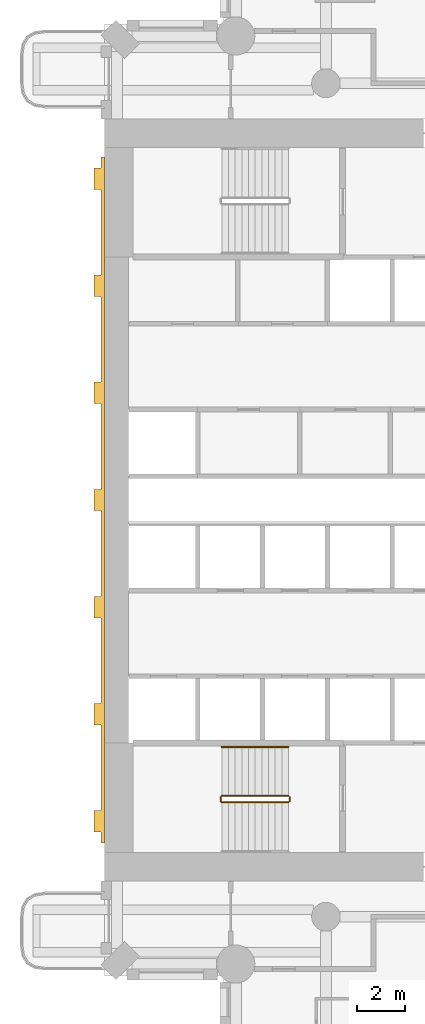
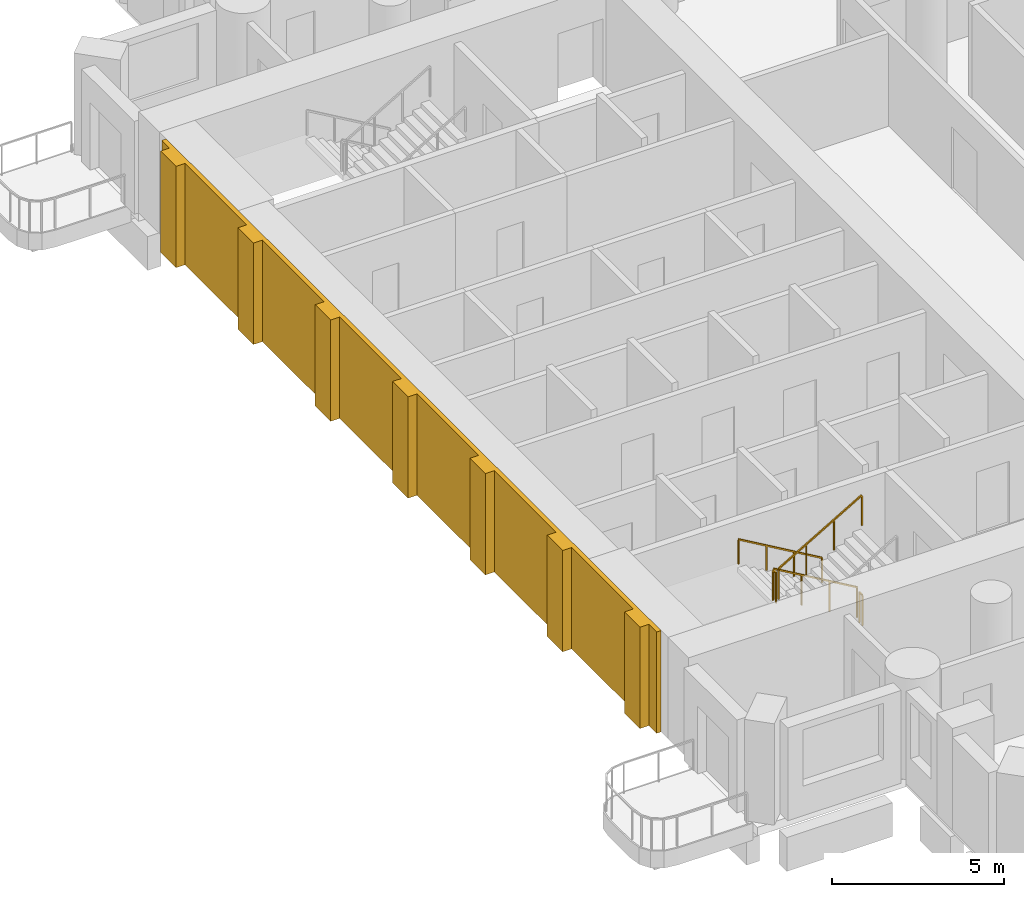
# One storey, part 14 of 20: 5 railings, 1 covering.
"""IFC4 building model written with IfcOpenShell, lengths in metres."""

import ifcopenshell
import ifcopenshell.guid

model = None  # the IFC model being written
_history = None  # IfcOwnerHistory: only IFC2X3 demands one
_inside = {}  # id of a spatial element -> (the spatial element, [elements in it])
_under = {}  # id of a project, library or spatial element -> (it, [spatial elements below it])
_declared = {}  # id of a project -> (the project, [libraries it declares])
_typed = {}  # id of a type object -> (the type object, [elements of that type])
_made_of = {}  # id of a material, layer set ... -> (it, [elements and type objects made of it])


def new_model(schema):
    """Start an empty IFC model of exactly this schema.

    Asked for "IFC4X3", IfcOpenShell would pick the latest addendum, in which some entities
    have other attributes; the version numbers below select the first issue.
    IFC2X3 requires an IfcOwnerHistory on every rooted entity: one is made here for all.
    """
    global model, _history
    if schema == "IFC4X3":
        model = ifcopenshell.file(schema_version=(4, 3, 0, 0))
    else:
        model = ifcopenshell.file(schema=schema)
    _inside.clear()
    _under.clear()
    _declared.clear()
    _typed.clear()
    _made_of.clear()
    _history = None
    if model.schema == "IFC2X3":
        org = make("IfcOrganization", Name="unknown")
        user = make(
            "IfcPersonAndOrganization",
            ThePerson=make("IfcPerson", FamilyName="unknown"),
            TheOrganization=org,
        )
        app = make(
            "IfcApplication",
            ApplicationDeveloper=org,
            Version="unknown",
            ApplicationFullName="unknown",
            ApplicationIdentifier="unknown",
        )
        _history = make(
            "IfcOwnerHistory",
            OwningUser=user,
            OwningApplication=app,
            ChangeAction="ADDED",
            CreationDate=0,
        )
    return model


def make(cls, **values):
    """One entity of the class cls with the attributes given. An attribute that is None is left unset."""
    return model.create_entity(
        cls, **{name: value for name, value in values.items() if value is not None}
    )


def rooted(cls, **values):
    """An entity with a GlobalId (a new one), such as an element, a storey or a relation."""
    return make(cls, GlobalId=ifcopenshell.guid.new(), OwnerHistory=_history, **values)


def si_unit(unit_type, name, prefix=None):
    """IfcSIUnit, for example si_unit("LENGTHUNIT", "METRE", prefix="MILLI")."""
    return make("IfcSIUnit", UnitType=unit_type, Prefix=prefix, Name=name)


def assignment(units):
    """IfcUnitAssignment: the units of a project."""
    return None if units is None else make("IfcUnitAssignment", Units=units)


def point(xyz):
    """IfcCartesianPoint."""
    return None if xyz is None else make("IfcCartesianPoint", Coordinates=xyz)


def direction(xyz):
    """IfcDirection."""
    return None if xyz is None else make("IfcDirection", DirectionRatios=xyz)


def frame(location, z_axis=None, x_axis=None):
    """IfcAxis2Placement3D, a coordinate frame: its origin and axes. An axis left out is left unset."""
    return make(
        "IfcAxis2Placement3D",
        Location=point(location),
        Axis=direction(z_axis),
        RefDirection=direction(x_axis),
    )


def frame_2d(location, x_axis=None):
    """IfcAxis2Placement2D, a coordinate frame in the plane: its origin and x axis."""
    return make(
        "IfcAxis2Placement2D", Location=point(location), RefDirection=direction(x_axis)
    )


def origin():
    """The frame at (0, 0, 0) with its axes left unset."""
    return frame((0.0, 0.0, 0.0))


def origin_2d():
    """The frame at (0, 0) in the plane with its x axis left unset."""
    return frame_2d((0.0, 0.0))


def place(relative_to, where):
    """IfcLocalPlacement: puts the frame where relative to a parent placement (None: the world)."""
    return make(
        "IfcLocalPlacement", PlacementRelTo=relative_to, RelativePlacement=where
    )


def context(
    kind, dimensions, precision=None, world=None, true_north=None, identifier=None
):
    """IfcGeometricRepresentationContext, for example the 3D "Model" context."""
    return make(
        "IfcGeometricRepresentationContext",
        ContextIdentifier=identifier,
        ContextType=kind,
        CoordinateSpaceDimension=dimensions,
        Precision=precision,
        WorldCoordinateSystem=world,
        TrueNorth=true_north,
    )


def subcontext(parent, identifier, kind, view, scale=None):
    """IfcGeometricRepresentationSubContext, for example "Body" below "Model"."""
    return make(
        "IfcGeometricRepresentationSubContext",
        ContextIdentifier=identifier,
        ContextType=kind,
        ParentContext=parent,
        TargetScale=scale,
        TargetView=view,
    )


def project(units=None, contexts=None):
    """IfcProject with its units and contexts."""
    return rooted(
        "IfcProject",
        Name="project",
        RepresentationContexts=contexts,
        UnitsInContext=assignment(units),
    )


def spatial(cls, under=None, at=None, **own):
    """A site, building, storey or space (cls), placed at a placement, below another one or the project."""
    s = rooted(cls, ObjectPlacement=at, **own)
    if under is not None:
        _under.setdefault(under.id(), (under, []))[1].append(s)
    return s


def polyline(points):
    """IfcPolyline through the points."""
    return make("IfcPolyline", Points=[point(p) for p in points])


def profile(cls, at=None, kind="AREA", **sizes):
    """A parametric profile (cls). Its sizes go by their IFC names, for example OverallWidth=200.0."""
    return make(cls, ProfileType=kind, Position=at, **sizes)


def rectangle(**sizes):
    """IfcRectangleProfileDef."""
    return profile("IfcRectangleProfileDef", **sizes)


def outline(outer, holes=None, kind="AREA"):
    """IfcArbitraryClosedProfileDef: a profile drawn as a closed curve; with holes, ...WithVoids."""
    if holes is None:
        return make("IfcArbitraryClosedProfileDef", ProfileType=kind, OuterCurve=outer)
    return make(
        "IfcArbitraryProfileDefWithVoids",
        ProfileType=kind,
        OuterCurve=outer,
        InnerCurves=holes,
    )


def extrude(swept, where, along, depth):
    """IfcExtrudedAreaSolid: the profile swept, set in the frame where, extruded along a direction by depth."""
    return make(
        "IfcExtrudedAreaSolid",
        SweptArea=swept,
        Position=where,
        ExtrudedDirection=direction(along),
        Depth=depth,
    )


def shape(context_of_items, identifier, shape_type, items):
    """IfcShapeRepresentation: the items that make up one representation, for example the "Body"."""
    return make(
        "IfcShapeRepresentation",
        ContextOfItems=context_of_items,
        RepresentationIdentifier=identifier,
        RepresentationType=shape_type,
        Items=items,
    )


def material(Name=None, Category=None):
    """IfcMaterial."""
    return make("IfcMaterial", Name=Name, Category=Category)


def layer(
    of_material, thickness, ventilated=None, Name=None, Category=None, Priority=None
):
    """IfcMaterialLayer: one layer of a wall or slab, of a material (None: an air gap)."""
    return make(
        "IfcMaterialLayer",
        Material=of_material,
        LayerThickness=thickness,
        IsVentilated=ventilated,
        Name=Name,
        Category=Category,
        Priority=Priority,
    )


def layer_set(layers, Name=None):
    """IfcMaterialLayerSet."""
    return make("IfcMaterialLayerSet", MaterialLayers=layers, LayerSetName=Name)


def made_of(thing, what):
    """Note that an element or type object is made of a material, layer set ...; save() writes the relation."""
    if what is not None:
        _made_of.setdefault(what.id(), (what, []))[1].append(thing)
    return thing


def type_object(cls, material=None, **own):
    """A type object (cls), such as IfcWallType, which elements share."""
    return made_of(rooted(cls, **own), material)


def element(
    cls,
    number,
    at=None,
    inside=None,
    cuts=None,
    type_object=None,
    material=None,
    context=None,
    identifier="Body",
    shape_type=None,
    held_by="IfcProductDefinitionShape",
    body=None,
    shapes=None,
    **own,
):
    """One element of the class cls, such as IfcWall. Its Tag is "e" and its number.

    at: its placement. inside: the storey or other place that contains it. cuts: it is an
    opening in that element (IfcRelVoidsElement). A single representation is given by context,
    identifier, shape_type and body (its items); several are given by shapes. held_by: the class
    of the entity that holds the representations. save() writes the other relations.
    """
    e = rooted(cls, Tag="e%d" % number, ObjectPlacement=at, **own)
    if body is not None:
        shapes = [shape(context, identifier, shape_type, body)]
    if shapes is not None:
        e.Representation = make(held_by, Representations=shapes)
    if inside is not None:
        _inside.setdefault(inside.id(), (inside, []))[1].append(e)
    if cuts is not None:
        rooted(
            "IfcRelVoidsElement", RelatingBuildingElement=cuts, RelatedOpeningElement=e
        )
    if type_object is not None:
        _typed.setdefault(type_object.id(), (type_object, []))[1].append(e)
    return made_of(e, material)


def aggregate(whole, parts):
    """IfcRelAggregates: a whole, such as a stair, and the parts it consists of."""
    return rooted("IfcRelAggregates", RelatingObject=whole, RelatedObjects=parts)


def save(model, path):
    """Write the relations noted so far, then the file.

    IfcRelAggregates (storeys below a building ...), IfcRelContainedInSpatialStructure (elements
    in a storey), IfcRelDefinesByType, IfcRelAssociatesMaterial and IfcRelDeclares: one each for
    every whole, place, type object, material and project.
    """
    for whole, parts in _under.values():
        aggregate(whole, parts)
    for where, things in _inside.values():
        rooted(
            "IfcRelContainedInSpatialStructure",
            RelatedElements=things,
            RelatingStructure=where,
        )
    for kind, things in _typed.values():
        rooted("IfcRelDefinesByType", RelatedObjects=things, RelatingType=kind)
    for what, things in _made_of.values():
        rooted("IfcRelAssociatesMaterial", RelatedObjects=things, RelatingMaterial=what)
    for by, libraries in _declared.values():
        rooted("IfcRelDeclares", RelatingContext=by, RelatedDefinitions=libraries)
    model.write(path)


model = new_model("IFC4")

# Units and contexts
model_context = context("Model", 3, precision=1e-05, world=origin(), true_north=direction((0.0, 1.0)))
body_context = subcontext(model_context, "Body", "Model", "MODEL_VIEW")
ifc_project = project(units=[si_unit("LENGTHUNIT", "METRE"), si_unit("AREAUNIT", "SQUARE_METRE"), si_unit("VOLUMEUNIT", "CUBIC_METRE"), si_unit("PLANEANGLEUNIT", "RADIAN"), si_unit("MASSUNIT", "GRAM", prefix="KILO")], contexts=[model_context])

# Site, building, storey
site_placement = place(None, origin())
site = spatial("IfcSite", under=ifc_project, at=site_placement, CompositionType="ELEMENT")
building_placement = place(site_placement, origin())
building = spatial("IfcBuilding", under=site, at=building_placement, Name="Cypress Arch Tower", CompositionType="ELEMENT")
storey_placement = place(building_placement, frame((0.0, 0.0, 87.89990234375)))
storey = spatial("IfcBuildingStorey", under=building, at=storey_placement, Name="L16", CompositionType="ELEMENT", Elevation=87.89990234375)

# Railings
ifc_material_1 = material(Name="Black powder-coated steel square bar 48 mm", Category="steel")
railing_type_1 = type_object("IfcRailingType", Name="Stair handrail HR1", PredefinedType="HANDRAIL", material=ifc_material_1)
railing_1_placement = place(storey_placement, frame((-22.27490234375, -10.375, 0.163818359375)))
element("IfcRailing", 1, at=railing_1_placement, inside=storey, type_object=railing_type_1, Name="L16 A stair handrail 1", PredefinedType="HANDRAIL", context=body_context, shape_type="SweptSolid", body=[
    extrude(rectangle(XDim=0.048095703125, YDim=0.048095703125, at=origin_2d()), frame((0.0, 0.0, 0.8759765625), z_axis=(-0.863393664356, 0.0, 0.504530851732), x_axis=(0.0, -1.0, 0.0)), (0.0, 0.0, 1.0), 3.2431640625),
    extrude(rectangle(XDim=0.0419921875, YDim=0.0419921875, at=origin_2d()), origin(), (0.0, 0.0, 1.0), 0.851806640625),
    extrude(rectangle(XDim=0.0419921875, YDim=0.0419921875, at=origin_2d()), frame((-0.933349609375, 0.0, 0.54541015625)), (0.0, 0.0, 1.0), 0.851806640625),
    extrude(rectangle(XDim=0.0419921875, YDim=0.0419921875, at=origin_2d()), frame((-1.86669921875, 0.0, 1.0908203125)), (0.0, 0.0, 1.0), 0.851806640625),
    extrude(rectangle(XDim=0.0419921875, YDim=0.0419921875, at=origin_2d()), frame((-2.800048828125, 0.0, 1.63623046875)), (0.0, 0.0, 1.0), 0.851806640625),
])
ifc_material_2 = material(Name="Black powder-coated steel balusters", Category="steel")
railing_type_2 = type_object("IfcRailingType", Name="Stair well guard G1", PredefinedType="GUARDRAIL", material=ifc_material_2)
railing_2_placement = place(storey_placement, frame((-22.27490234375, -12.425048828125, 0.163818359375)))
element("IfcRailing", 2, at=railing_2_placement, inside=storey, type_object=railing_type_2, Name="L16 A stair guard 1", PredefinedType="GUARDRAIL", context=body_context, shape_type="SweptSolid", body=[
    extrude(rectangle(XDim=0.048095703125, YDim=0.048095703125, at=origin_2d()), frame((0.0, 0.0, 1.076171875), z_axis=(-0.863393664356, 0.0, 0.504530851732), x_axis=(0.0, -1.0, 0.0)), (0.0, 0.0, 1.0), 3.2431640625),
    extrude(rectangle(XDim=0.0419921875, YDim=0.0419921875, at=origin_2d()), origin(), (0.0, 0.0, 1.0), 1.052001953125),
    extrude(rectangle(XDim=0.0419921875, YDim=0.0419921875, at=origin_2d()), frame((-0.933349609375, 0.0, 0.54541015625)), (0.0, 0.0, 1.0), 1.052001953125),
    extrude(rectangle(XDim=0.0419921875, YDim=0.0419921875, at=origin_2d()), frame((-1.86669921875, 0.0, 1.0908203125)), (0.0, 0.0, 1.0), 1.052001953125),
    extrude(rectangle(XDim=0.0419921875, YDim=0.0419921875, at=origin_2d()), frame((-2.800048828125, 0.0, 1.63623046875)), (0.0, 0.0, 1.0), 1.052001953125),
])
railing_3_placement = place(storey_placement, frame((-25.125, -12.47509765625, 1.800048828125)))
element("IfcRailing", 3, at=railing_3_placement, inside=storey, type_object=railing_type_2, Name="L16 A stair guard 2", PredefinedType="GUARDRAIL", context=body_context, shape_type="SweptSolid", body=[
    extrude(rectangle(XDim=0.048095703125, YDim=0.048095703125, at=origin_2d()), frame((0.0, 0.0, 1.076171875), z_axis=(0.0, -1.0, 0.0), x_axis=(1.0, 0.0, 0.0)), (0.0, 0.0, 1.0), 0.1748046875),
    extrude(rectangle(XDim=0.0419921875, YDim=0.0419921875, at=origin_2d()), origin(), (0.0, 0.0, 1.0), 1.052001953125),
    extrude(rectangle(XDim=0.0419921875, YDim=0.0419921875, at=origin_2d()), frame((0.0, -0.1748046875, 0.0)), (0.0, 0.0, 1.0), 1.052001953125),
])
railing_4_placement = place(storey_placement, frame((-25.074951171875, -12.699951171875, 1.963623046875)))
element("IfcRailing", 4, at=railing_4_placement, inside=storey, type_object=railing_type_2, Name="L16 A stair guard 3", PredefinedType="GUARDRAIL", context=body_context, shape_type="SweptSolid", body=[
    extrude(rectangle(XDim=0.048095703125, YDim=0.048095703125, at=origin_2d()), frame((0.0, 0.0, 1.076171875), z_axis=(0.863360870873, 0.0, 0.504586966384), x_axis=(0.0, 1.0, 0.0)), (0.0, 0.0, 1.0), 3.2431640625),
    extrude(rectangle(XDim=0.0419921875, YDim=0.0419921875, at=origin_2d()), origin(), (0.0, 0.0, 1.0), 1.052001953125),
    extrude(rectangle(XDim=0.0419921875, YDim=0.0419921875, at=origin_2d()), frame((0.933349609375, 0.0, 0.54541015625)), (0.0, 0.0, 1.0), 1.052001953125),
    extrude(rectangle(XDim=0.0419921875, YDim=0.0419921875, at=origin_2d()), frame((1.86669921875, 0.0, 1.091064453125)), (0.0, 0.0, 1.0), 1.052001953125),
    extrude(rectangle(XDim=0.0419921875, YDim=0.0419921875, at=origin_2d()), frame((2.800048828125, 0.0, 1.636474609375)), (0.0, 0.0, 1.0), 1.052001953125),
])
railing_5_placement = place(storey_placement, frame((-22.22509765625, -12.47509765625, 0.0)))
element("IfcRailing", 5, at=railing_5_placement, inside=storey, type_object=railing_type_2, Name="L16 A stair guard 4", PredefinedType="GUARDRAIL", context=body_context, shape_type="SweptSolid", body=[
    extrude(rectangle(XDim=0.048095703125, YDim=0.048095703125, at=origin_2d()), frame((0.0, 0.0, 1.076171875), z_axis=(0.0, -1.0, 0.0), x_axis=(1.0, 0.0, 0.0)), (0.0, 0.0, 1.0), 0.1748046875),
    extrude(rectangle(XDim=0.0419921875, YDim=0.0419921875, at=origin_2d()), origin(), (0.0, 0.0, 1.0), 1.052001953125),
    extrude(rectangle(XDim=0.0419921875, YDim=0.0419921875, at=origin_2d()), frame((0.0, -0.1748046875, 0.0)), (0.0, 0.0, 1.0), 1.052001953125),
])

# Covering
ifc_material_3 = material(Name="Brick (red buff blend)", Category="masonry")
ifc_layer = layer(ifc_material_3, 0.449951171875)
ifc_layer_set = layer_set([ifc_layer], Name="West face brick piers WP450")
covering_type = type_object("IfcCoveringType", Name="West face brick piers WP450", PredefinedType="CLADDING", material=ifc_layer_set)
covering_placement = place(storey_placement, origin())
element("IfcCovering", 6, at=covering_placement, inside=storey, type_object=covering_type, Name="West face brick piers L16", PredefinedType="CLADDING", context=body_context, shape_type="SweptSolid", body=[
    extrude(outline(polyline([(-30.14990234375, -13.050048828125), (-30.14990234375, -9.449951171875), (-30.449951171875, -9.449951171875), (-30.449951171875, -8.550048828125), (-30.14990234375, -8.550048828125), (-30.14990234375, -4.949951171875), (-30.449951171875, -4.949951171875), (-30.449951171875, -4.050048828125), (-30.14990234375, -4.050048828125), (-30.14990234375, -0.449951171875), (-30.449951171875, -0.449951171875), (-30.449951171875, 0.449951171875), (-30.14990234375, 0.449951171875), (-30.14990234375, 4.050048828125), (-30.449951171875, 4.050048828125), (-30.449951171875, 4.949951171875), (-30.14990234375, 4.949951171875), (-30.14990234375, 8.550048828125), (-30.449951171875, 8.550048828125), (-30.449951171875, 9.449951171875), (-30.14990234375, 9.449951171875), (-30.14990234375, 13.050048828125), (-30.449951171875, 13.050048828125), (-30.449951171875, 13.949951171875), (-30.14990234375, 13.949951171875), (-30.14990234375, 14.39990234375), (-30.0, 14.39990234375), (-30.0, -14.39990234375), (-30.14990234375, -14.39990234375), (-30.14990234375, -13.949951171875), (-30.449951171875, -13.949951171875), (-30.449951171875, -13.050048828125), (-30.14990234375, -13.050048828125)])), origin(), (0.0, 0.0, 1.0), 3.60009765625),
])

save(model, "model.ifc")
